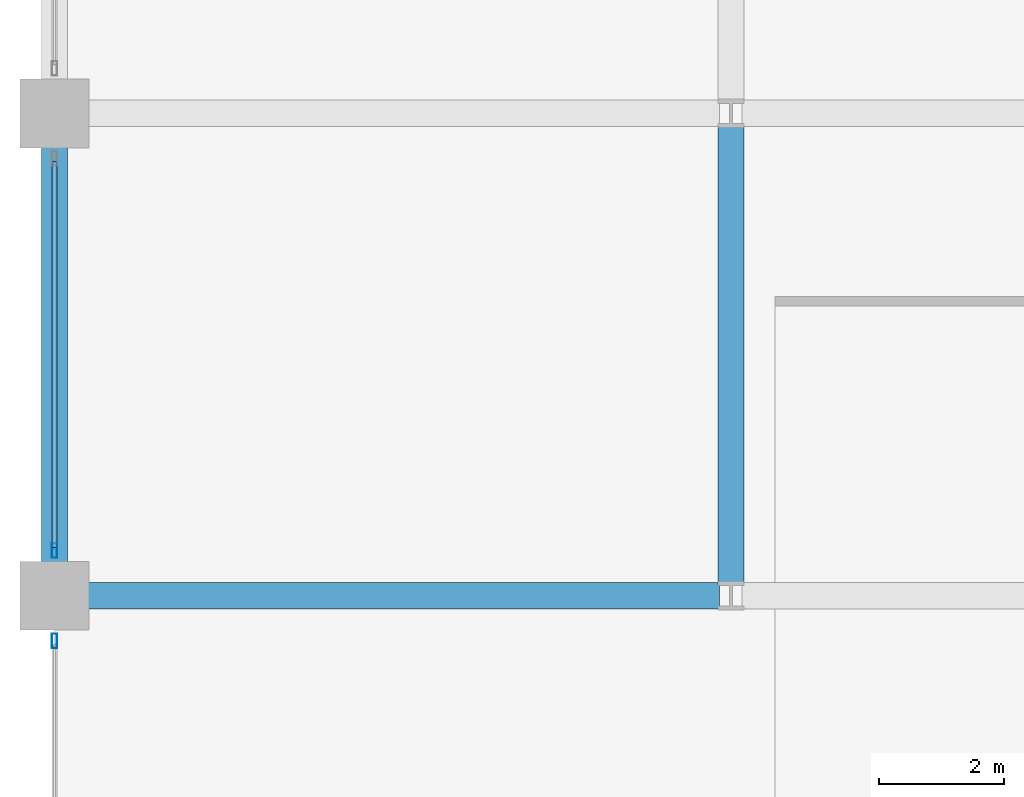
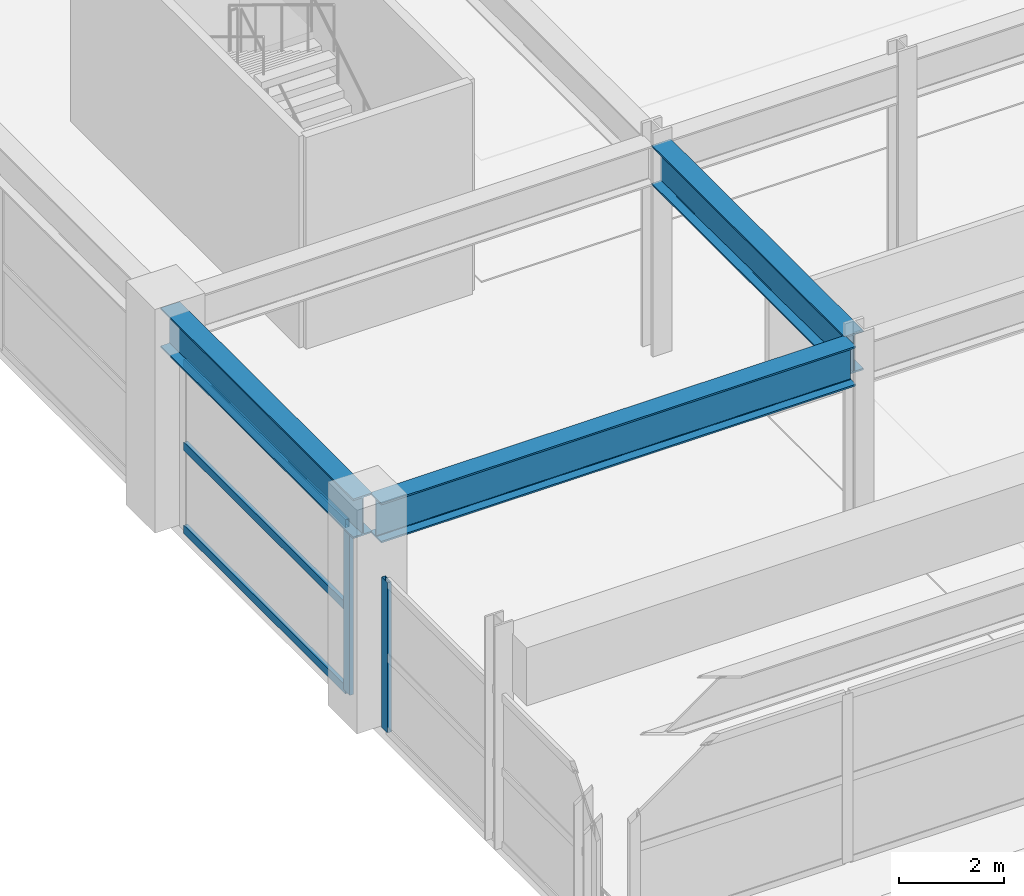
# One storey, part 6 of 45: 5 members, 3 beams, 2 elements without a shape of their own.
"""IFC4 building model written with IfcOpenShell, lengths in metres."""

from ifc_helpers import new_model, si_unit, direction, frame, origin, origin_2d, place, context, subcontext, project, spatial, hollow_rectangle, i_section, extrude, material, material_profile, profile_set, type_object, element, aggregate, save


model = new_model("IFC4")

# Units and contexts
model_context = context("Model", 3, precision=1e-05, world=origin(), true_north=direction((0.0, 1.0)))
body_context = subcontext(model_context, "Body", "Model", "MODEL_VIEW")
ifc_project = project(units=[si_unit("LENGTHUNIT", "METRE"), si_unit("AREAUNIT", "SQUARE_METRE"), si_unit("VOLUMEUNIT", "CUBIC_METRE"), si_unit("PLANEANGLEUNIT", "RADIAN"), si_unit("MASSUNIT", "GRAM", prefix="KILO")], contexts=[model_context])

# Site, building, storey
site_placement = place(None, origin())
site = spatial("IfcSite", under=ifc_project, at=site_placement, CompositionType="ELEMENT")
building_placement = place(site_placement, origin())
building = spatial("IfcBuilding", under=site, at=building_placement, Name="Kovane Verandah Tower", CompositionType="ELEMENT")
storey_placement = place(building_placement, frame((0.0, 0.0, 6.0)))
storey = spatial("IfcBuildingStorey", under=building, at=storey_placement, Name="L01", CompositionType="ELEMENT", Elevation=6.0)

# Beams
ifc_material_1 = material(Name="Steel S460", Category="steel")
ifc_material_profile_1 = material_profile(ifc_material_1, i_section(OverallWidth=0.42041015625, OverallDepth=0.9208984375, WebThickness=0.021484375, FlangeThickness=0.03662109375, FilletRadius=0.024169921875, at=origin_2d()), Name="UB914x419x388")
ifc_profile_set_1 = profile_set([ifc_material_profile_1], Name="Steel S460")
beam_type = type_object("IfcBeamType", Name="BM-UB914x388", PredefinedType="BEAM", material=ifc_profile_set_1)
beam_placement = place(storey_placement, frame((-1.820068359375, 10.800048828125, 4.439453125), z_axis=(1.0, 0.0, 0.0), x_axis=(0.0, 1.0, 0.0)))
element("IfcBeam", 1, at=beam_placement, inside=storey, type_object=beam_type, Name="L01 Podium Grid Girder X01", PredefinedType="BEAM", context=body_context, shape_type="SweptSolid", body=[
    extrude(i_section(OverallWidth=0.42041015625, OverallDepth=0.9208984375, WebThickness=0.021484375, FlangeThickness=0.03662109375, FilletRadius=0.024169921875, at=origin_2d()), origin(), (0.0, 0.0, 1.0), 10.440185546875),
])
for number, where, z_axis, x_axis, name in (
    (2, (-2.0, 10.97998046875, 4.439453125), (0.0, 1.0, 0.0), (-1.0, 0.0, 0.0), "L01 Podium Grid Girder Y24"),
    (3, (8.800048828125, 10.97998046875, 4.439453125), (0.0, 1.0, 0.0), (-1.0, 0.0, 0.0), "L01 Podium Grid Girder Y28"),
):
    element("IfcBeam", number, at=place(storey_placement, frame(where, z_axis=z_axis, x_axis=x_axis)), inside=storey, type_object=beam_type, Name=name, PredefinedType="BEAM", context=body_context, shape_type="SweptSolid", body=[
        extrude(i_section(OverallWidth=0.42041015625, OverallDepth=0.9208984375, WebThickness=0.021484375, FlangeThickness=0.03662109375, FilletRadius=0.024169921875, at=origin_2d()), origin(), (0.0, 0.0, 1.0), 7.340087890625),
    ])

# Curtain wall, member
ifc_material_2 = material(Name="Champagne Anodised Aluminium Frame with Low-E Clear Laminated Glass", Category="aluminium")
curtain_wall_type = type_object("IfcCurtainWallType", Name="CW-SYS-01-POD", PredefinedType="NOTDEFINED", material=ifc_material_2)
curtain_wall_1_placement = place(storey_placement, origin())
curtain_wall_1 = element("IfcCurtainWall", 4, at=curtain_wall_1_placement, inside=storey, type_object=curtain_wall_type, Name="L01 West Podium Curtain Wall Bay 1", PredefinedType="NOTDEFINED")
ifc_material_3 = material(Name="Champagne Anodised Aluminium 6063-T6", Category="aluminium")
ifc_material_profile_2 = material_profile(ifc_material_3, hollow_rectangle(XDim=0.0849609375, YDim=0.22998046875, WallThickness=0.00390625, at=origin_2d()), Name="AL85x230x4")
ifc_profile_set_2 = profile_set([ifc_material_profile_2], Name="Champagne Anodised Aluminium 6063-T6")
member_type_1 = type_object("IfcMemberType", Name="CW-MUL-85x230", PredefinedType="MULLION", material=ifc_profile_set_2)
member_1_placement = place(storey_placement, frame((-2.0, 10.080078125, 0.02001953125), z_axis=(0.0, 0.0, 1.0), x_axis=(-1.0, 0.0, 0.0)))
member_1 = element("IfcMember", 5, at=member_1_placement, type_object=member_type_1, Name="L01 West Podium Curtain Wall Bay 1 Mullion 1", PredefinedType="MULLION", context=body_context, shape_type="SweptSolid", body=[
    extrude(hollow_rectangle(XDim=0.0849609375, YDim=0.22998046875, WallThickness=0.00390625, at=origin_2d()), origin(), (0.0, 0.0, 1.0), 3.489990234375),
])
aggregate(curtain_wall_1, [member_1])

# Curtain wall, members
curtain_wall_2_placement = place(storey_placement, origin())
curtain_wall_2 = element("IfcCurtainWall", 6, at=curtain_wall_2_placement, inside=storey, type_object=curtain_wall_type, Name="L01 West Podium Curtain Wall Bay 2", PredefinedType="NOTDEFINED")
member_2_placement = place(storey_placement, frame((-2.0, 11.52001953125, 0.02001953125), z_axis=(0.0, 0.0, 1.0), x_axis=(-1.0, 0.0, 0.0)))
member_2 = element("IfcMember", 7, at=member_2_placement, type_object=member_type_1, Name="L01 West Podium Curtain Wall Bay 2 Mullion 2", PredefinedType="MULLION", context=body_context, shape_type="SweptSolid", body=[
    extrude(hollow_rectangle(XDim=0.0849609375, YDim=0.22998046875, WallThickness=0.00390625, at=origin_2d()), origin(), (0.0, 0.0, 1.0), 3.9189453125),
])
ifc_material_profile_3 = material_profile(ifc_material_3, hollow_rectangle(XDim=0.0849609375, YDim=0.18994140625, WallThickness=0.00390625, at=origin_2d()), Name="AL85x190x4")
ifc_profile_set_3 = profile_set([ifc_material_profile_3], Name="Champagne Anodised Aluminium 6063-T6")
member_type_2 = type_object("IfcMemberType", Name="CW-TRN-85x190", PredefinedType="USERDEFINED", material=ifc_profile_set_3)
member_3_placement = place(storey_placement, frame((-2.0, 17.72998046875, 0.050048828125), z_axis=(0.0, -1.0, 0.0), x_axis=(1.0, 0.0, 0.0)))
member_3 = element("IfcMember", 8, at=member_3_placement, type_object=member_type_2, Name="L01 West Podium Curtain Wall Bay 2 Transom TB Bay 1", ObjectType="TRANSOM", PredefinedType="USERDEFINED", context=body_context, shape_type="SweptSolid", body=[
    extrude(hollow_rectangle(XDim=0.0849609375, YDim=0.18994140625, WallThickness=0.00390625, at=origin_2d()), origin(), (0.0, 0.0, 1.0), 6.159912109375),
])
member_4_placement = place(storey_placement, frame((-2.0, 17.72998046875, 1.9794921875), z_axis=(0.0, -1.0, 0.0), x_axis=(1.0, 0.0, 0.0)))
member_4 = element("IfcMember", 9, at=member_4_placement, type_object=member_type_2, Name="L01 West Podium Curtain Wall Bay 2 Transom TM Bay 1", ObjectType="TRANSOM", PredefinedType="USERDEFINED", context=body_context, shape_type="SweptSolid", body=[
    extrude(hollow_rectangle(XDim=0.0849609375, YDim=0.18994140625, WallThickness=0.00390625, at=origin_2d()), origin(), (0.0, 0.0, 1.0), 6.159912109375),
])
member_5_placement = place(storey_placement, frame((-2.0, 17.72998046875, 3.908935546875), z_axis=(0.0, -1.0, 0.0), x_axis=(1.0, 0.0, 0.0)))
member_5 = element("IfcMember", 10, at=member_5_placement, type_object=member_type_2, Name="L01 West Podium Curtain Wall Bay 2 Transom TT Bay 1", ObjectType="TRANSOM", PredefinedType="USERDEFINED", context=body_context, shape_type="SweptSolid", body=[
    extrude(hollow_rectangle(XDim=0.0849609375, YDim=0.18994140625, WallThickness=0.00390625, at=origin_2d()), origin(), (0.0, 0.0, 1.0), 6.159912109375),
])
aggregate(curtain_wall_2, [member_2, member_3, member_4, member_5])

save(model, "model.ifc")
